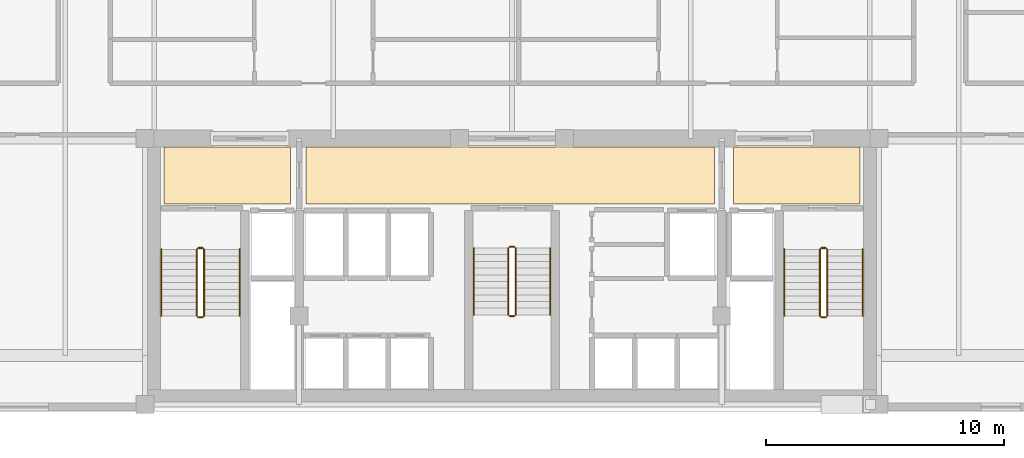
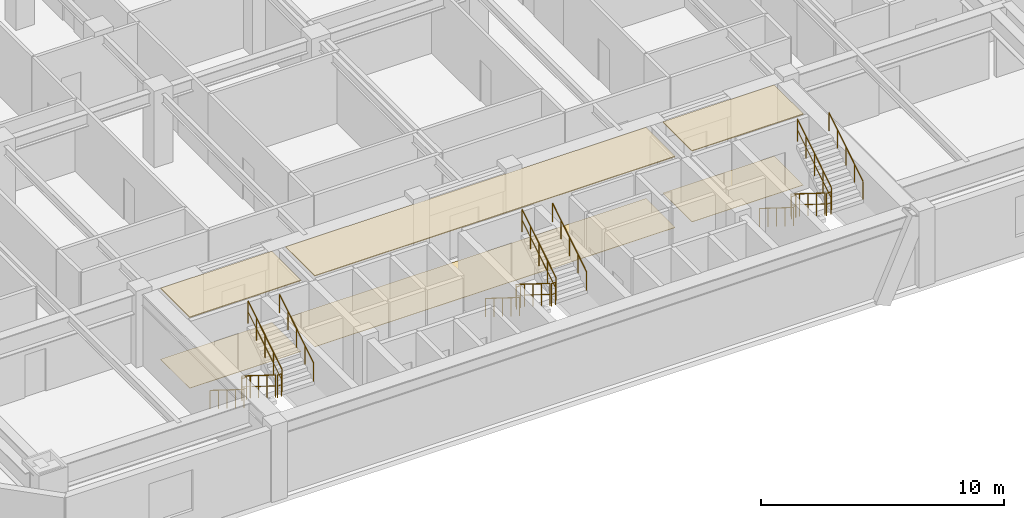
# One storey, part 10 of 10: 18 railings, 6 coverings.
"""IFC4 building model written with IfcOpenShell, lengths in metres."""

from ifc_helpers import new_model, si_unit, direction, frame, origin, origin_2d, place, context, subcontext, project, spatial, polyline, circle, outline, extrude, material, layer, layer_set, type_object, element, save


model = new_model("IFC4")

# Units and contexts
model_context = context("Model", 3, precision=1e-05, world=origin(), true_north=direction((0.0, 1.0)))
body_context = subcontext(model_context, "Body", "Model", "MODEL_VIEW")
ifc_project = project(units=[si_unit("LENGTHUNIT", "METRE"), si_unit("AREAUNIT", "SQUARE_METRE"), si_unit("VOLUMEUNIT", "CUBIC_METRE"), si_unit("PLANEANGLEUNIT", "RADIAN"), si_unit("MASSUNIT", "GRAM", prefix="KILO")], contexts=[model_context])

# Site, building, storey
site_placement = place(None, origin())
site = spatial("IfcSite", under=ifc_project, at=site_placement, CompositionType="ELEMENT")
building_placement = place(site_placement, origin())
building = spatial("IfcBuilding", under=site, at=building_placement, Name="Ventersveld Concourse Tower", CompositionType="ELEMENT")
storey_placement = place(building_placement, frame((0.0, 0.0, 88.75)))
storey = spatial("IfcBuildingStorey", under=building, at=storey_placement, Name="L21", CompositionType="ELEMENT", Elevation=88.75)

# Coverings
ifc_material_1 = material(Name="Mineral-fibre acoustic ceiling tile", Category="gypsum")
ifc_layer_1 = layer(ifc_material_1, 0.0400390625)
ifc_layer_set_1 = layer_set([ifc_layer_1], Name="Mineral-fibre acoustic ceiling tile")
covering_type_1 = type_object("IfcCoveringType", Name="COV-CEIL-ACOUSTIC", PredefinedType="CEILING", material=ifc_layer_set_1)
covering_1_placement = place(storey_placement, frame((0.0, 0.0, 3.56005859375)))
element("IfcCovering", 1, at=covering_1_placement, inside=storey, type_object=covering_type_1, Name="L21 North Lift Lobby Acoustic Ceiling", PredefinedType="CEILING", context=body_context, shape_type="SweptSolid", body=[
    extrude(outline(polyline([(20.10009765625, 8.699951171875), (37.25, 8.699951171875), (37.25, 11.10009765625), (20.10009765625, 11.10009765625), (20.10009765625, 8.699951171875)])), origin(), (0.0, 0.0, 1.0), 0.0400390625),
])
covering_2_placement = place(storey_placement, frame((0.0, 0.0, 3.56005859375)))
element("IfcCovering", 2, at=covering_2_placement, inside=storey, type_object=covering_type_1, Name="L21 West Firefighting Lobby Acoustic Ceiling", PredefinedType="CEILING", context=body_context, shape_type="SweptSolid", body=[
    extrude(outline(polyline([(14.14990234375, 8.699951171875), (19.449951171875, 8.699951171875), (19.449951171875, 11.10009765625), (14.14990234375, 11.10009765625), (14.14990234375, 8.699951171875)])), origin(), (0.0, 0.0, 1.0), 0.0400390625),
])
covering_3_placement = place(storey_placement, frame((0.0, 0.0, 3.56005859375)))
element("IfcCovering", 3, at=covering_3_placement, inside=storey, type_object=covering_type_1, Name="L21 East Firefighting Lobby Acoustic Ceiling", PredefinedType="CEILING", context=body_context, shape_type="SweptSolid", body=[
    extrude(outline(polyline([(38.050048828125, 8.699951171875), (43.35009765625, 8.699951171875), (43.35009765625, 11.10009765625), (38.050048828125, 11.10009765625), (38.050048828125, 8.699951171875)])), origin(), (0.0, 0.0, 1.0), 0.0400390625),
])
ifc_material_2 = material(Name="Polished Highveld granite terrazzo", Category="masonry")
ifc_layer_2 = layer(ifc_material_2, 0.02001953125)
ifc_layer_set_2 = layer_set([ifc_layer_2], Name="Polished Highveld granite terrazzo")
covering_type_2 = type_object("IfcCoveringType", Name="COV-FLOOR-TERRAZZO", PredefinedType="FLOORING", material=ifc_layer_set_2)
covering_4_placement = place(storey_placement, origin())
element("IfcCovering", 4, at=covering_4_placement, inside=storey, type_object=covering_type_2, Name="L21 North Lift Lobby Terrazzo Flooring", PredefinedType="FLOORING", context=body_context, shape_type="SweptSolid", body=[
    extrude(outline(polyline([(20.10009765625, 8.699951171875), (37.25, 8.699951171875), (37.25, 11.10009765625), (20.10009765625, 11.10009765625), (20.10009765625, 8.699951171875)])), origin(), (0.0, 0.0, 1.0), 0.02001953125),
])
covering_5_placement = place(storey_placement, origin())
element("IfcCovering", 5, at=covering_5_placement, inside=storey, type_object=covering_type_2, Name="L21 West Firefighting Lobby Terrazzo Flooring", PredefinedType="FLOORING", context=body_context, shape_type="SweptSolid", body=[
    extrude(outline(polyline([(14.14990234375, 8.699951171875), (19.449951171875, 8.699951171875), (19.449951171875, 11.10009765625), (14.14990234375, 11.10009765625), (14.14990234375, 8.699951171875)])), origin(), (0.0, 0.0, 1.0), 0.02001953125),
])
covering_6_placement = place(storey_placement, origin())
element("IfcCovering", 6, at=covering_6_placement, inside=storey, type_object=covering_type_2, Name="L21 East Firefighting Lobby Terrazzo Flooring", PredefinedType="FLOORING", context=body_context, shape_type="SweptSolid", body=[
    extrude(outline(polyline([(38.050048828125, 8.699951171875), (43.35009765625, 8.699951171875), (43.35009765625, 11.10009765625), (38.050048828125, 11.10009765625), (38.050048828125, 8.699951171875)])), origin(), (0.0, 0.0, 1.0), 0.02001953125),
])

# Railings
ifc_material_3 = material(Name="Brushed stainless steel 316", Category="steel")
railing_type_1 = type_object("IfcRailingType", Name="GD-BAL-115", PredefinedType="GUARDRAIL", material=ifc_material_3)
railing_1_placement = place(storey_placement, frame((15.530029296875, 6.800048828125, 0.175048828125)))
element("IfcRailing", 7, at=railing_1_placement, inside=storey, type_object=railing_type_1, Name="L21 ST-01 stair guard 1", PredefinedType="GUARDRAIL", context=body_context, shape_type="SweptSolid", body=[
    extrude(circle(Radius=0.02392578125, at=origin_2d()), frame((0.0, 0.0, 1.1259765625), z_axis=(0.0, -0.848002457836, 0.529992293815), x_axis=(1.0, 0.0, 0.0)), (0.0, 0.0, 1.0), 3.302001953125),
    extrude(circle(Radius=0.01611328125, at=origin_2d()), frame((0.0, 0.0, 0.574951171875), z_axis=(0.0, -0.848002457836, 0.529992293815), x_axis=(1.0, 0.0, 0.0)), (0.0, 0.0, 1.0), 3.302001953125),
    extrude(circle(Radius=0.02099609375, at=origin_2d()), origin(), (0.0, 0.0, 1.0), 1.101806640625),
    extrude(circle(Radius=0.02099609375, at=origin_2d()), frame((0.0, -0.699951171875, 0.4375)), (0.0, 0.0, 1.0), 1.101806640625),
    extrude(circle(Radius=0.02099609375, at=origin_2d()), frame((0.0, -1.39990234375, 0.875)), (0.0, 0.0, 1.0), 1.101806640625),
    extrude(circle(Radius=0.02099609375, at=origin_2d()), frame((0.0, -2.10009765625, 1.3125)), (0.0, 0.0, 1.0), 1.101806640625),
    extrude(circle(Radius=0.02099609375, at=origin_2d()), frame((0.0, -2.800048828125, 1.75)), (0.0, 0.0, 1.0), 1.101806640625),
])
railing_2_placement = place(storey_placement, frame((15.580078125, 3.949951171875, 1.925048828125)))
element("IfcRailing", 8, at=railing_2_placement, inside=storey, type_object=railing_type_1, Name="L21 ST-01 stair guard 2", PredefinedType="GUARDRAIL", context=body_context, shape_type="SweptSolid", body=[
    extrude(circle(Radius=0.02392578125, at=origin_2d()), frame((0.0, 0.0, 1.1259765625), z_axis=(1.0, 0.0, 0.0), x_axis=(0.0, 1.0, 0.0)), (0.0, 0.0, 1.0), 0.199951171875),
    extrude(circle(Radius=0.01611328125, at=origin_2d()), frame((0.0, 0.0, 0.574951171875), z_axis=(1.0, 0.0, 0.0), x_axis=(0.0, 1.0, 0.0)), (0.0, 0.0, 1.0), 0.199951171875),
    extrude(circle(Radius=0.02099609375, at=origin_2d()), origin(), (0.0, 0.0, 1.0), 1.101806640625),
    extrude(circle(Radius=0.02099609375, at=origin_2d()), frame((0.199951171875, 0.0, 0.0)), (0.0, 0.0, 1.0), 1.101806640625),
])
railing_3_placement = place(storey_placement, frame((15.830078125, 4.0, 2.10009765625)))
element("IfcRailing", 9, at=railing_3_placement, inside=storey, type_object=railing_type_1, Name="L21 ST-01 stair guard 3", PredefinedType="GUARDRAIL", context=body_context, shape_type="SweptSolid", body=[
    extrude(circle(Radius=0.02392578125, at=origin_2d()), frame((0.0, 0.0, 1.1259765625), z_axis=(0.0, 0.848002457836, 0.529992293815), x_axis=(-1.0, 0.0, 0.0)), (0.0, 0.0, 1.0), 3.302001953125),
    extrude(circle(Radius=0.01611328125, at=origin_2d()), frame((0.0, 0.0, 0.574951171875), z_axis=(0.0, 0.848002457836, 0.529992293815), x_axis=(-1.0, 0.0, 0.0)), (0.0, 0.0, 1.0), 3.302001953125),
    extrude(circle(Radius=0.02099609375, at=origin_2d()), origin(), (0.0, 0.0, 1.0), 1.101806640625),
    extrude(circle(Radius=0.02099609375, at=origin_2d()), frame((0.0, 0.699951171875, 0.4375)), (0.0, 0.0, 1.0), 1.101806640625),
    extrude(circle(Radius=0.02099609375, at=origin_2d()), frame((0.0, 1.39990234375, 0.875)), (0.0, 0.0, 1.0), 1.101806640625),
    extrude(circle(Radius=0.02099609375, at=origin_2d()), frame((0.0, 2.10009765625, 1.3125)), (0.0, 0.0, 1.0), 1.101806640625),
    extrude(circle(Radius=0.02099609375, at=origin_2d()), frame((0.0, 2.800048828125, 1.75)), (0.0, 0.0, 1.0), 1.101806640625),
])
railing_4_placement = place(storey_placement, frame((15.580078125, 6.85009765625, 0.0)))
element("IfcRailing", 10, at=railing_4_placement, inside=storey, type_object=railing_type_1, Name="L21 ST-01 stair guard 4", PredefinedType="GUARDRAIL", context=body_context, shape_type="SweptSolid", body=[
    extrude(circle(Radius=0.02392578125, at=origin_2d()), frame((0.0, 0.0, 1.1259765625), z_axis=(1.0, 0.0, 0.0), x_axis=(0.0, 1.0, 0.0)), (0.0, 0.0, 1.0), 0.199951171875),
    extrude(circle(Radius=0.01611328125, at=origin_2d()), frame((0.0, 0.0, 0.574951171875), z_axis=(1.0, 0.0, 0.0), x_axis=(0.0, 1.0, 0.0)), (0.0, 0.0, 1.0), 0.199951171875),
    extrude(circle(Radius=0.02099609375, at=origin_2d()), origin(), (0.0, 0.0, 1.0), 1.101806640625),
    extrude(circle(Radius=0.02099609375, at=origin_2d()), frame((0.199951171875, 0.0, 0.0)), (0.0, 0.0, 1.0), 1.101806640625),
])
railing_5_placement = place(storey_placement, frame((41.669921875, 6.800048828125, 0.175048828125)))
element("IfcRailing", 11, at=railing_5_placement, inside=storey, type_object=railing_type_1, Name="L21 ST-02 stair guard 1", PredefinedType="GUARDRAIL", context=body_context, shape_type="SweptSolid", body=[
    extrude(circle(Radius=0.02392578125, at=origin_2d()), frame((0.0, 0.0, 1.1259765625), z_axis=(0.0, -0.848002457836, 0.529992293815), x_axis=(1.0, 0.0, 0.0)), (0.0, 0.0, 1.0), 3.302001953125),
    extrude(circle(Radius=0.01611328125, at=origin_2d()), frame((0.0, 0.0, 0.574951171875), z_axis=(0.0, -0.848002457836, 0.529992293815), x_axis=(1.0, 0.0, 0.0)), (0.0, 0.0, 1.0), 3.302001953125),
    extrude(circle(Radius=0.02099609375, at=origin_2d()), origin(), (0.0, 0.0, 1.0), 1.101806640625),
    extrude(circle(Radius=0.02099609375, at=origin_2d()), frame((0.0, -0.699951171875, 0.4375)), (0.0, 0.0, 1.0), 1.101806640625),
    extrude(circle(Radius=0.02099609375, at=origin_2d()), frame((0.0, -1.39990234375, 0.875)), (0.0, 0.0, 1.0), 1.101806640625),
    extrude(circle(Radius=0.02099609375, at=origin_2d()), frame((0.0, -2.10009765625, 1.3125)), (0.0, 0.0, 1.0), 1.101806640625),
    extrude(circle(Radius=0.02099609375, at=origin_2d()), frame((0.0, -2.800048828125, 1.75)), (0.0, 0.0, 1.0), 1.101806640625),
])
railing_6_placement = place(storey_placement, frame((41.719970703125, 3.949951171875, 1.925048828125)))
element("IfcRailing", 12, at=railing_6_placement, inside=storey, type_object=railing_type_1, Name="L21 ST-02 stair guard 2", PredefinedType="GUARDRAIL", context=body_context, shape_type="SweptSolid", body=[
    extrude(circle(Radius=0.02392578125, at=origin_2d()), frame((0.0, 0.0, 1.1259765625), z_axis=(1.0, 0.0, 0.0), x_axis=(0.0, 1.0, 0.0)), (0.0, 0.0, 1.0), 0.199951171875),
    extrude(circle(Radius=0.01611328125, at=origin_2d()), frame((0.0, 0.0, 0.574951171875), z_axis=(1.0, 0.0, 0.0), x_axis=(0.0, 1.0, 0.0)), (0.0, 0.0, 1.0), 0.199951171875),
    extrude(circle(Radius=0.02099609375, at=origin_2d()), origin(), (0.0, 0.0, 1.0), 1.101806640625),
    extrude(circle(Radius=0.02099609375, at=origin_2d()), frame((0.199951171875, 0.0, 0.0)), (0.0, 0.0, 1.0), 1.101806640625),
])
railing_7_placement = place(storey_placement, frame((41.969970703125, 4.0, 2.10009765625)))
element("IfcRailing", 13, at=railing_7_placement, inside=storey, type_object=railing_type_1, Name="L21 ST-02 stair guard 3", PredefinedType="GUARDRAIL", context=body_context, shape_type="SweptSolid", body=[
    extrude(circle(Radius=0.02392578125, at=origin_2d()), frame((0.0, 0.0, 1.1259765625), z_axis=(0.0, 0.848002457836, 0.529992293815), x_axis=(-1.0, 0.0, 0.0)), (0.0, 0.0, 1.0), 3.302001953125),
    extrude(circle(Radius=0.01611328125, at=origin_2d()), frame((0.0, 0.0, 0.574951171875), z_axis=(0.0, 0.848002457836, 0.529992293815), x_axis=(-1.0, 0.0, 0.0)), (0.0, 0.0, 1.0), 3.302001953125),
    extrude(circle(Radius=0.02099609375, at=origin_2d()), origin(), (0.0, 0.0, 1.0), 1.101806640625),
    extrude(circle(Radius=0.02099609375, at=origin_2d()), frame((0.0, 0.699951171875, 0.4375)), (0.0, 0.0, 1.0), 1.101806640625),
    extrude(circle(Radius=0.02099609375, at=origin_2d()), frame((0.0, 1.39990234375, 0.875)), (0.0, 0.0, 1.0), 1.101806640625),
    extrude(circle(Radius=0.02099609375, at=origin_2d()), frame((0.0, 2.10009765625, 1.3125)), (0.0, 0.0, 1.0), 1.101806640625),
    extrude(circle(Radius=0.02099609375, at=origin_2d()), frame((0.0, 2.800048828125, 1.75)), (0.0, 0.0, 1.0), 1.101806640625),
])
railing_8_placement = place(storey_placement, frame((41.719970703125, 6.85009765625, 0.0)))
element("IfcRailing", 14, at=railing_8_placement, inside=storey, type_object=railing_type_1, Name="L21 ST-02 stair guard 4", PredefinedType="GUARDRAIL", context=body_context, shape_type="SweptSolid", body=[
    extrude(circle(Radius=0.02392578125, at=origin_2d()), frame((0.0, 0.0, 1.1259765625), z_axis=(1.0, 0.0, 0.0), x_axis=(0.0, 1.0, 0.0)), (0.0, 0.0, 1.0), 0.199951171875),
    extrude(circle(Radius=0.01611328125, at=origin_2d()), frame((0.0, 0.0, 0.574951171875), z_axis=(1.0, 0.0, 0.0), x_axis=(0.0, 1.0, 0.0)), (0.0, 0.0, 1.0), 0.199951171875),
    extrude(circle(Radius=0.02099609375, at=origin_2d()), origin(), (0.0, 0.0, 1.0), 1.101806640625),
    extrude(circle(Radius=0.02099609375, at=origin_2d()), frame((0.199951171875, 0.0, 0.0)), (0.0, 0.0, 1.0), 1.101806640625),
])
railing_9_placement = place(storey_placement, frame((28.60009765625, 6.85009765625, 0.175048828125)))
element("IfcRailing", 15, at=railing_9_placement, inside=storey, type_object=railing_type_1, Name="L21 ST-03 stair guard 1", PredefinedType="GUARDRAIL", context=body_context, shape_type="SweptSolid", body=[
    extrude(circle(Radius=0.02392578125, at=origin_2d()), frame((0.0, 0.0, 1.1259765625), z_axis=(0.0, -0.848002457836, 0.529992293815), x_axis=(1.0, 0.0, 0.0)), (0.0, 0.0, 1.0), 3.302001953125),
    extrude(circle(Radius=0.01611328125, at=origin_2d()), frame((0.0, 0.0, 0.574951171875), z_axis=(0.0, -0.848002457836, 0.529992293815), x_axis=(1.0, 0.0, 0.0)), (0.0, 0.0, 1.0), 3.302001953125),
    extrude(circle(Radius=0.02099609375, at=origin_2d()), origin(), (0.0, 0.0, 1.0), 1.101806640625),
    extrude(circle(Radius=0.02099609375, at=origin_2d()), frame((0.0, -0.699951171875, 0.4375)), (0.0, 0.0, 1.0), 1.101806640625),
    extrude(circle(Radius=0.02099609375, at=origin_2d()), frame((0.0, -1.39990234375, 0.875)), (0.0, 0.0, 1.0), 1.101806640625),
    extrude(circle(Radius=0.02099609375, at=origin_2d()), frame((0.0, -2.10009765625, 1.3125)), (0.0, 0.0, 1.0), 1.101806640625),
    extrude(circle(Radius=0.02099609375, at=origin_2d()), frame((0.0, -2.800048828125, 1.75)), (0.0, 0.0, 1.0), 1.101806640625),
])
railing_10_placement = place(storey_placement, frame((28.64990234375, 4.0, 1.925048828125)))
element("IfcRailing", 16, at=railing_10_placement, inside=storey, type_object=railing_type_1, Name="L21 ST-03 stair guard 2", PredefinedType="GUARDRAIL", context=body_context, shape_type="SweptSolid", body=[
    extrude(circle(Radius=0.02392578125, at=origin_2d()), frame((0.0, 0.0, 1.1259765625), z_axis=(1.0, 0.0, 0.0), x_axis=(0.0, 1.0, 0.0)), (0.0, 0.0, 1.0), 0.2001953125),
    extrude(circle(Radius=0.01611328125, at=origin_2d()), frame((0.0, 0.0, 0.574951171875), z_axis=(1.0, 0.0, 0.0), x_axis=(0.0, 1.0, 0.0)), (0.0, 0.0, 1.0), 0.2001953125),
    extrude(circle(Radius=0.02099609375, at=origin_2d()), origin(), (0.0, 0.0, 1.0), 1.101806640625),
    extrude(circle(Radius=0.02099609375, at=origin_2d()), frame((0.2001953125, 0.0, 0.0)), (0.0, 0.0, 1.0), 1.101806640625),
])
railing_11_placement = place(storey_placement, frame((28.89990234375, 4.050048828125, 2.10009765625)))
element("IfcRailing", 17, at=railing_11_placement, inside=storey, type_object=railing_type_1, Name="L21 ST-03 stair guard 3", PredefinedType="GUARDRAIL", context=body_context, shape_type="SweptSolid", body=[
    extrude(circle(Radius=0.02392578125, at=origin_2d()), frame((0.0, 0.0, 1.1259765625), z_axis=(0.0, 0.848002457836, 0.529992293815), x_axis=(-1.0, 0.0, 0.0)), (0.0, 0.0, 1.0), 3.302001953125),
    extrude(circle(Radius=0.01611328125, at=origin_2d()), frame((0.0, 0.0, 0.574951171875), z_axis=(0.0, 0.848002457836, 0.529992293815), x_axis=(-1.0, 0.0, 0.0)), (0.0, 0.0, 1.0), 3.302001953125),
    extrude(circle(Radius=0.02099609375, at=origin_2d()), origin(), (0.0, 0.0, 1.0), 1.101806640625),
    extrude(circle(Radius=0.02099609375, at=origin_2d()), frame((0.0, 0.699951171875, 0.4375)), (0.0, 0.0, 1.0), 1.101806640625),
    extrude(circle(Radius=0.02099609375, at=origin_2d()), frame((0.0, 1.39990234375, 0.875)), (0.0, 0.0, 1.0), 1.101806640625),
    extrude(circle(Radius=0.02099609375, at=origin_2d()), frame((0.0, 2.10009765625, 1.3125)), (0.0, 0.0, 1.0), 1.101806640625),
    extrude(circle(Radius=0.02099609375, at=origin_2d()), frame((0.0, 2.800048828125, 1.75)), (0.0, 0.0, 1.0), 1.101806640625),
])
railing_12_placement = place(storey_placement, frame((28.64990234375, 6.89990234375, 0.0)))
element("IfcRailing", 18, at=railing_12_placement, inside=storey, type_object=railing_type_1, Name="L21 ST-03 stair guard 4", PredefinedType="GUARDRAIL", context=body_context, shape_type="SweptSolid", body=[
    extrude(circle(Radius=0.02392578125, at=origin_2d()), frame((0.0, 0.0, 1.1259765625), z_axis=(1.0, 0.0, 0.0), x_axis=(0.0, 1.0, 0.0)), (0.0, 0.0, 1.0), 0.2001953125),
    extrude(circle(Radius=0.01611328125, at=origin_2d()), frame((0.0, 0.0, 0.574951171875), z_axis=(1.0, 0.0, 0.0), x_axis=(0.0, 1.0, 0.0)), (0.0, 0.0, 1.0), 0.2001953125),
    extrude(circle(Radius=0.02099609375, at=origin_2d()), origin(), (0.0, 0.0, 1.0), 1.101806640625),
    extrude(circle(Radius=0.02099609375, at=origin_2d()), frame((0.2001953125, 0.0, 0.0)), (0.0, 0.0, 1.0), 1.101806640625),
])
railing_type_2 = type_object("IfcRailingType", Name="HR-RMP-095", PredefinedType="HANDRAIL", material=ifc_material_3)
railing_13_placement = place(storey_placement, frame((14.030029296875, 6.800048828125, 0.175048828125)))
element("IfcRailing", 19, at=railing_13_placement, inside=storey, type_object=railing_type_2, Name="L21 ST-01 stair handrail 1", PredefinedType="HANDRAIL", context=body_context, shape_type="SweptSolid", body=[
    extrude(circle(Radius=0.02392578125, at=origin_2d()), frame((0.0, 0.0, 0.92578125), z_axis=(0.0, -0.848002457836, 0.529992293815), x_axis=(1.0, 0.0, 0.0)), (0.0, 0.0, 1.0), 3.302001953125),
    extrude(circle(Radius=0.02099609375, at=origin_2d()), origin(), (0.0, 0.0, 1.0), 0.90185546875),
    extrude(circle(Radius=0.02099609375, at=origin_2d()), frame((0.0, -0.699951171875, 0.4375)), (0.0, 0.0, 1.0), 0.90185546875),
    extrude(circle(Radius=0.02099609375, at=origin_2d()), frame((0.0, -1.39990234375, 0.875)), (0.0, 0.0, 1.0), 0.90185546875),
    extrude(circle(Radius=0.02099609375, at=origin_2d()), frame((0.0, -2.10009765625, 1.3125)), (0.0, 0.0, 1.0), 0.90185546875),
    extrude(circle(Radius=0.02099609375, at=origin_2d()), frame((0.0, -2.800048828125, 1.75)), (0.0, 0.0, 1.0), 0.90185546875),
])
railing_14_placement = place(storey_placement, frame((17.330078125, 4.0, 2.10009765625)))
element("IfcRailing", 20, at=railing_14_placement, inside=storey, type_object=railing_type_2, Name="L21 ST-01 stair handrail 2", PredefinedType="HANDRAIL", context=body_context, shape_type="SweptSolid", body=[
    extrude(circle(Radius=0.02392578125, at=origin_2d()), frame((0.0, 0.0, 0.92578125), z_axis=(0.0, 0.848002457836, 0.529992293815), x_axis=(-1.0, 0.0, 0.0)), (0.0, 0.0, 1.0), 3.302001953125),
    extrude(circle(Radius=0.02099609375, at=origin_2d()), origin(), (0.0, 0.0, 1.0), 0.90185546875),
    extrude(circle(Radius=0.02099609375, at=origin_2d()), frame((0.0, 0.699951171875, 0.4375)), (0.0, 0.0, 1.0), 0.90185546875),
    extrude(circle(Radius=0.02099609375, at=origin_2d()), frame((0.0, 1.39990234375, 0.875)), (0.0, 0.0, 1.0), 0.90185546875),
    extrude(circle(Radius=0.02099609375, at=origin_2d()), frame((0.0, 2.10009765625, 1.3125)), (0.0, 0.0, 1.0), 0.90185546875),
    extrude(circle(Radius=0.02099609375, at=origin_2d()), frame((0.0, 2.800048828125, 1.75)), (0.0, 0.0, 1.0), 0.90185546875),
])
railing_15_placement = place(storey_placement, frame((40.169921875, 6.800048828125, 0.175048828125)))
element("IfcRailing", 21, at=railing_15_placement, inside=storey, type_object=railing_type_2, Name="L21 ST-02 stair handrail 1", PredefinedType="HANDRAIL", context=body_context, shape_type="SweptSolid", body=[
    extrude(circle(Radius=0.02392578125, at=origin_2d()), frame((0.0, 0.0, 0.92578125), z_axis=(0.0, -0.848002457836, 0.529992293815), x_axis=(1.0, 0.0, 0.0)), (0.0, 0.0, 1.0), 3.302001953125),
    extrude(circle(Radius=0.02099609375, at=origin_2d()), origin(), (0.0, 0.0, 1.0), 0.90185546875),
    extrude(circle(Radius=0.02099609375, at=origin_2d()), frame((0.0, -0.699951171875, 0.4375)), (0.0, 0.0, 1.0), 0.90185546875),
    extrude(circle(Radius=0.02099609375, at=origin_2d()), frame((0.0, -1.39990234375, 0.875)), (0.0, 0.0, 1.0), 0.90185546875),
    extrude(circle(Radius=0.02099609375, at=origin_2d()), frame((0.0, -2.10009765625, 1.3125)), (0.0, 0.0, 1.0), 0.90185546875),
    extrude(circle(Radius=0.02099609375, at=origin_2d()), frame((0.0, -2.800048828125, 1.75)), (0.0, 0.0, 1.0), 0.90185546875),
])
railing_16_placement = place(storey_placement, frame((43.469970703125, 4.0, 2.10009765625)))
element("IfcRailing", 22, at=railing_16_placement, inside=storey, type_object=railing_type_2, Name="L21 ST-02 stair handrail 2", PredefinedType="HANDRAIL", context=body_context, shape_type="SweptSolid", body=[
    extrude(circle(Radius=0.02392578125, at=origin_2d()), frame((0.0, 0.0, 0.92578125), z_axis=(0.0, 0.848002457836, 0.529992293815), x_axis=(-1.0, 0.0, 0.0)), (0.0, 0.0, 1.0), 3.302001953125),
    extrude(circle(Radius=0.02099609375, at=origin_2d()), origin(), (0.0, 0.0, 1.0), 0.90185546875),
    extrude(circle(Radius=0.02099609375, at=origin_2d()), frame((0.0, 0.699951171875, 0.4375)), (0.0, 0.0, 1.0), 0.90185546875),
    extrude(circle(Radius=0.02099609375, at=origin_2d()), frame((0.0, 1.39990234375, 0.875)), (0.0, 0.0, 1.0), 0.90185546875),
    extrude(circle(Radius=0.02099609375, at=origin_2d()), frame((0.0, 2.10009765625, 1.3125)), (0.0, 0.0, 1.0), 0.90185546875),
    extrude(circle(Radius=0.02099609375, at=origin_2d()), frame((0.0, 2.800048828125, 1.75)), (0.0, 0.0, 1.0), 0.90185546875),
])
railing_17_placement = place(storey_placement, frame((27.14990234375, 6.85009765625, 0.175048828125)))
element("IfcRailing", 23, at=railing_17_placement, inside=storey, type_object=railing_type_2, Name="L21 ST-03 stair handrail 1", PredefinedType="HANDRAIL", context=body_context, shape_type="SweptSolid", body=[
    extrude(circle(Radius=0.02392578125, at=origin_2d()), frame((0.0, 0.0, 0.92578125), z_axis=(0.0, -0.848002457836, 0.529992293815), x_axis=(1.0, 0.0, 0.0)), (0.0, 0.0, 1.0), 3.302001953125),
    extrude(circle(Radius=0.02099609375, at=origin_2d()), origin(), (0.0, 0.0, 1.0), 0.90185546875),
    extrude(circle(Radius=0.02099609375, at=origin_2d()), frame((0.0, -0.699951171875, 0.4375)), (0.0, 0.0, 1.0), 0.90185546875),
    extrude(circle(Radius=0.02099609375, at=origin_2d()), frame((0.0, -1.39990234375, 0.875)), (0.0, 0.0, 1.0), 0.90185546875),
    extrude(circle(Radius=0.02099609375, at=origin_2d()), frame((0.0, -2.10009765625, 1.3125)), (0.0, 0.0, 1.0), 0.90185546875),
    extrude(circle(Radius=0.02099609375, at=origin_2d()), frame((0.0, -2.800048828125, 1.75)), (0.0, 0.0, 1.0), 0.90185546875),
])
railing_18_placement = place(storey_placement, frame((30.35009765625, 4.050048828125, 2.10009765625)))
element("IfcRailing", 24, at=railing_18_placement, inside=storey, type_object=railing_type_2, Name="L21 ST-03 stair handrail 2", PredefinedType="HANDRAIL", context=body_context, shape_type="SweptSolid", body=[
    extrude(circle(Radius=0.02392578125, at=origin_2d()), frame((0.0, 0.0, 0.92578125), z_axis=(0.0, 0.848002457836, 0.529992293815), x_axis=(-1.0, 0.0, 0.0)), (0.0, 0.0, 1.0), 3.302001953125),
    extrude(circle(Radius=0.02099609375, at=origin_2d()), origin(), (0.0, 0.0, 1.0), 0.90185546875),
    extrude(circle(Radius=0.02099609375, at=origin_2d()), frame((0.0, 0.699951171875, 0.4375)), (0.0, 0.0, 1.0), 0.90185546875),
    extrude(circle(Radius=0.02099609375, at=origin_2d()), frame((0.0, 1.39990234375, 0.875)), (0.0, 0.0, 1.0), 0.90185546875),
    extrude(circle(Radius=0.02099609375, at=origin_2d()), frame((0.0, 2.10009765625, 1.3125)), (0.0, 0.0, 1.0), 0.90185546875),
    extrude(circle(Radius=0.02099609375, at=origin_2d()), frame((0.0, 2.800048828125, 1.75)), (0.0, 0.0, 1.0), 0.90185546875),
])

save(model, "model.ifc")
